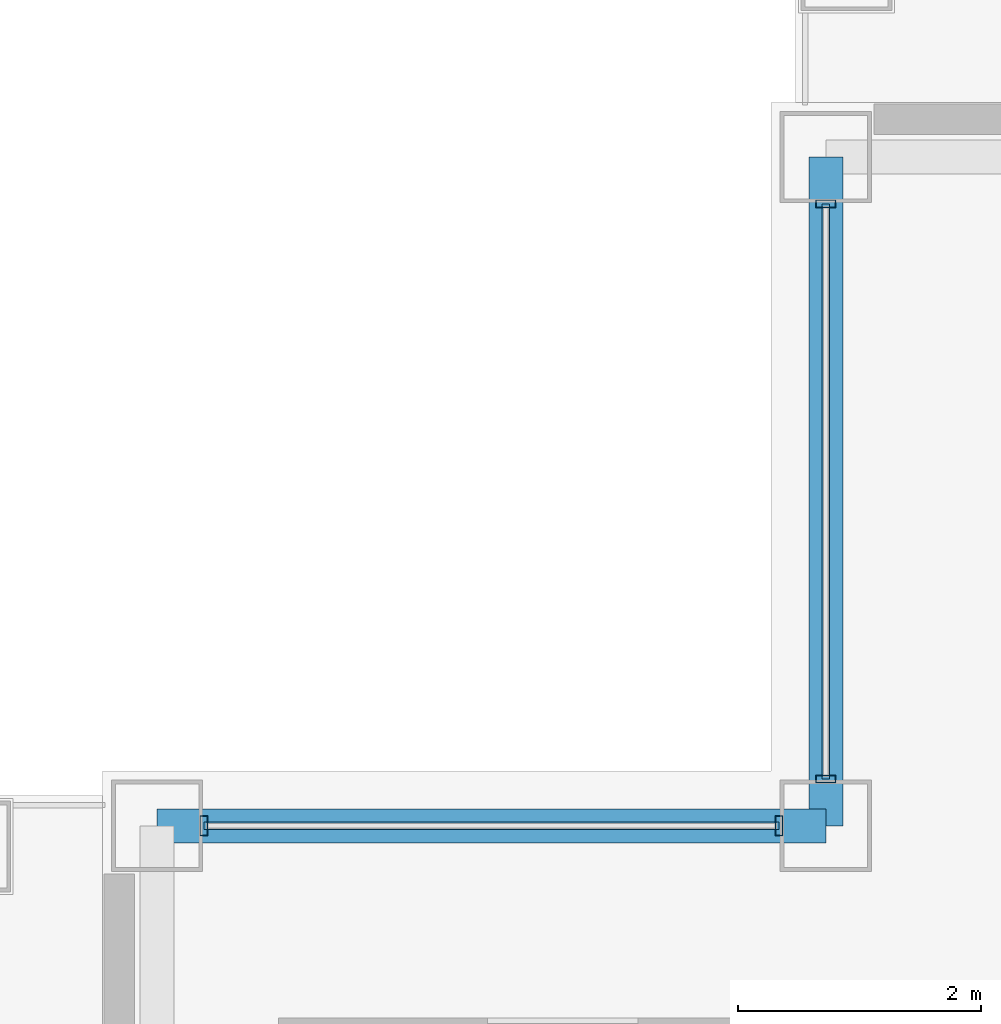
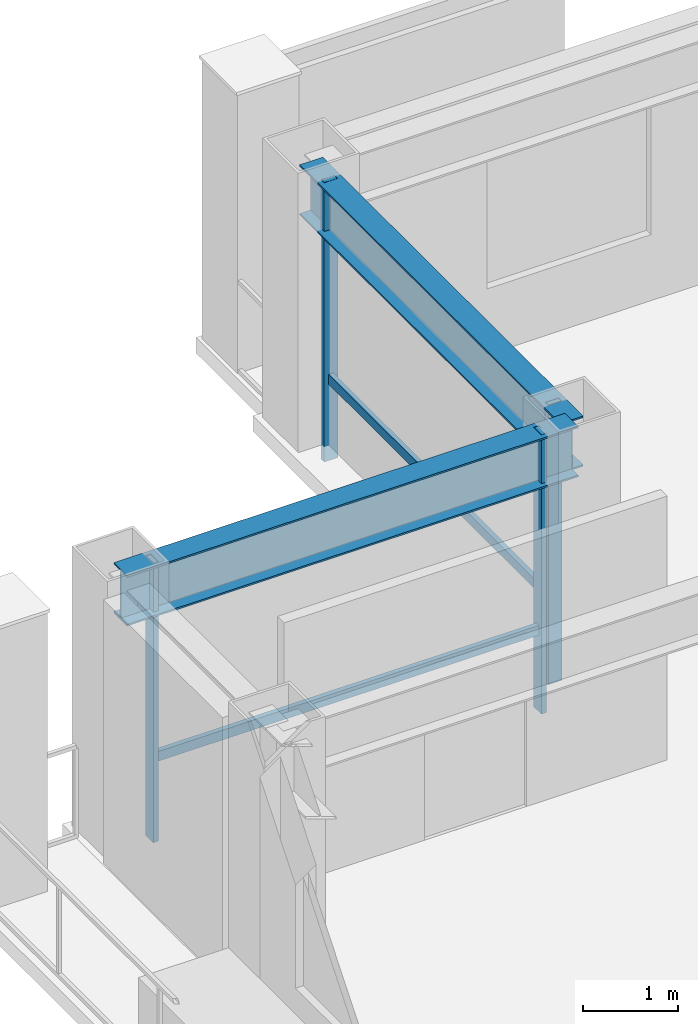
# One storey, part 19 of 30: 6 members, 2 beams, 2 elements without a shape of their own.
"""IFC4 building model written with IfcOpenShell, lengths in metres."""

import ifcopenshell
import ifcopenshell.guid

model = None  # the IFC model being written
_history = None  # IfcOwnerHistory: only IFC2X3 demands one
_inside = {}  # id of a spatial element -> (the spatial element, [elements in it])
_under = {}  # id of a project, library or spatial element -> (it, [spatial elements below it])
_declared = {}  # id of a project -> (the project, [libraries it declares])
_typed = {}  # id of a type object -> (the type object, [elements of that type])
_made_of = {}  # id of a material, layer set ... -> (it, [elements and type objects made of it])


def new_model(schema):
    """Start an empty IFC model of exactly this schema.

    Asked for "IFC4X3", IfcOpenShell would pick the latest addendum, in which some entities
    have other attributes; the version numbers below select the first issue.
    IFC2X3 requires an IfcOwnerHistory on every rooted entity: one is made here for all.
    """
    global model, _history
    if schema == "IFC4X3":
        model = ifcopenshell.file(schema_version=(4, 3, 0, 0))
    else:
        model = ifcopenshell.file(schema=schema)
    _inside.clear()
    _under.clear()
    _declared.clear()
    _typed.clear()
    _made_of.clear()
    _history = None
    if model.schema == "IFC2X3":
        org = make("IfcOrganization", Name="unknown")
        user = make(
            "IfcPersonAndOrganization",
            ThePerson=make("IfcPerson", FamilyName="unknown"),
            TheOrganization=org,
        )
        app = make(
            "IfcApplication",
            ApplicationDeveloper=org,
            Version="unknown",
            ApplicationFullName="unknown",
            ApplicationIdentifier="unknown",
        )
        _history = make(
            "IfcOwnerHistory",
            OwningUser=user,
            OwningApplication=app,
            ChangeAction="ADDED",
            CreationDate=0,
        )
    return model


def make(cls, **values):
    """One entity of the class cls with the attributes given. An attribute that is None is left unset."""
    return model.create_entity(
        cls, **{name: value for name, value in values.items() if value is not None}
    )


def rooted(cls, **values):
    """An entity with a GlobalId (a new one), such as an element, a storey or a relation."""
    return make(cls, GlobalId=ifcopenshell.guid.new(), OwnerHistory=_history, **values)


def si_unit(unit_type, name, prefix=None):
    """IfcSIUnit, for example si_unit("LENGTHUNIT", "METRE", prefix="MILLI")."""
    return make("IfcSIUnit", UnitType=unit_type, Prefix=prefix, Name=name)


def assignment(units):
    """IfcUnitAssignment: the units of a project."""
    return None if units is None else make("IfcUnitAssignment", Units=units)


def point(xyz):
    """IfcCartesianPoint."""
    return None if xyz is None else make("IfcCartesianPoint", Coordinates=xyz)


def direction(xyz):
    """IfcDirection."""
    return None if xyz is None else make("IfcDirection", DirectionRatios=xyz)


def frame(location, z_axis=None, x_axis=None):
    """IfcAxis2Placement3D, a coordinate frame: its origin and axes. An axis left out is left unset."""
    return make(
        "IfcAxis2Placement3D",
        Location=point(location),
        Axis=direction(z_axis),
        RefDirection=direction(x_axis),
    )


def frame_2d(location, x_axis=None):
    """IfcAxis2Placement2D, a coordinate frame in the plane: its origin and x axis."""
    return make(
        "IfcAxis2Placement2D", Location=point(location), RefDirection=direction(x_axis)
    )


def origin():
    """The frame at (0, 0, 0) with its axes left unset."""
    return frame((0.0, 0.0, 0.0))


def origin_2d():
    """The frame at (0, 0) in the plane with its x axis left unset."""
    return frame_2d((0.0, 0.0))


def place(relative_to, where):
    """IfcLocalPlacement: puts the frame where relative to a parent placement (None: the world)."""
    return make(
        "IfcLocalPlacement", PlacementRelTo=relative_to, RelativePlacement=where
    )


def context(
    kind, dimensions, precision=None, world=None, true_north=None, identifier=None
):
    """IfcGeometricRepresentationContext, for example the 3D "Model" context."""
    return make(
        "IfcGeometricRepresentationContext",
        ContextIdentifier=identifier,
        ContextType=kind,
        CoordinateSpaceDimension=dimensions,
        Precision=precision,
        WorldCoordinateSystem=world,
        TrueNorth=true_north,
    )


def subcontext(parent, identifier, kind, view, scale=None):
    """IfcGeometricRepresentationSubContext, for example "Body" below "Model"."""
    return make(
        "IfcGeometricRepresentationSubContext",
        ContextIdentifier=identifier,
        ContextType=kind,
        ParentContext=parent,
        TargetScale=scale,
        TargetView=view,
    )


def project(units=None, contexts=None):
    """IfcProject with its units and contexts."""
    return rooted(
        "IfcProject",
        Name="project",
        RepresentationContexts=contexts,
        UnitsInContext=assignment(units),
    )


def spatial(cls, under=None, at=None, **own):
    """A site, building, storey or space (cls), placed at a placement, below another one or the project."""
    s = rooted(cls, ObjectPlacement=at, **own)
    if under is not None:
        _under.setdefault(under.id(), (under, []))[1].append(s)
    return s


def profile(cls, at=None, kind="AREA", **sizes):
    """A parametric profile (cls). Its sizes go by their IFC names, for example OverallWidth=200.0."""
    return make(cls, ProfileType=kind, Position=at, **sizes)


def hollow_rectangle(**sizes):
    """IfcRectangleHollowProfileDef."""
    return profile("IfcRectangleHollowProfileDef", **sizes)


def i_section(**sizes):
    """IfcIShapeProfileDef."""
    return profile("IfcIShapeProfileDef", **sizes)


def extrude(swept, where, along, depth):
    """IfcExtrudedAreaSolid: the profile swept, set in the frame where, extruded along a direction by depth."""
    return make(
        "IfcExtrudedAreaSolid",
        SweptArea=swept,
        Position=where,
        ExtrudedDirection=direction(along),
        Depth=depth,
    )


def shape(context_of_items, identifier, shape_type, items):
    """IfcShapeRepresentation: the items that make up one representation, for example the "Body"."""
    return make(
        "IfcShapeRepresentation",
        ContextOfItems=context_of_items,
        RepresentationIdentifier=identifier,
        RepresentationType=shape_type,
        Items=items,
    )


def material(Name=None, Category=None):
    """IfcMaterial."""
    return make("IfcMaterial", Name=Name, Category=Category)


def layer(
    of_material, thickness, ventilated=None, Name=None, Category=None, Priority=None
):
    """IfcMaterialLayer: one layer of a wall or slab, of a material (None: an air gap)."""
    return make(
        "IfcMaterialLayer",
        Material=of_material,
        LayerThickness=thickness,
        IsVentilated=ventilated,
        Name=Name,
        Category=Category,
        Priority=Priority,
    )


def layer_set(layers, Name=None):
    """IfcMaterialLayerSet."""
    return make("IfcMaterialLayerSet", MaterialLayers=layers, LayerSetName=Name)


def material_profile(
    of_material, cross_section, Name=None, Category=None, Priority=None
):
    """IfcMaterialProfile: a cross section and its material."""
    return make(
        "IfcMaterialProfile",
        Name=Name,
        Material=of_material,
        Profile=cross_section,
        Priority=Priority,
        Category=Category,
    )


def profile_set(profiles, Name=None, composite=None):
    """IfcMaterialProfileSet."""
    return make(
        "IfcMaterialProfileSet",
        Name=Name,
        MaterialProfiles=profiles,
        CompositeProfile=composite,
    )


def made_of(thing, what):
    """Note that an element or type object is made of a material, layer set ...; save() writes the relation."""
    if what is not None:
        _made_of.setdefault(what.id(), (what, []))[1].append(thing)
    return thing


def type_object(cls, material=None, **own):
    """A type object (cls), such as IfcWallType, which elements share."""
    return made_of(rooted(cls, **own), material)


def element(
    cls,
    number,
    at=None,
    inside=None,
    cuts=None,
    type_object=None,
    material=None,
    context=None,
    identifier="Body",
    shape_type=None,
    held_by="IfcProductDefinitionShape",
    body=None,
    shapes=None,
    **own,
):
    """One element of the class cls, such as IfcWall. Its Tag is "e" and its number.

    at: its placement. inside: the storey or other place that contains it. cuts: it is an
    opening in that element (IfcRelVoidsElement). A single representation is given by context,
    identifier, shape_type and body (its items); several are given by shapes. held_by: the class
    of the entity that holds the representations. save() writes the other relations.
    """
    e = rooted(cls, Tag="e%d" % number, ObjectPlacement=at, **own)
    if body is not None:
        shapes = [shape(context, identifier, shape_type, body)]
    if shapes is not None:
        e.Representation = make(held_by, Representations=shapes)
    if inside is not None:
        _inside.setdefault(inside.id(), (inside, []))[1].append(e)
    if cuts is not None:
        rooted(
            "IfcRelVoidsElement", RelatingBuildingElement=cuts, RelatedOpeningElement=e
        )
    if type_object is not None:
        _typed.setdefault(type_object.id(), (type_object, []))[1].append(e)
    return made_of(e, material)


def aggregate(whole, parts):
    """IfcRelAggregates: a whole, such as a stair, and the parts it consists of."""
    return rooted("IfcRelAggregates", RelatingObject=whole, RelatedObjects=parts)


def save(model, path):
    """Write the relations noted so far, then the file.

    IfcRelAggregates (storeys below a building ...), IfcRelContainedInSpatialStructure (elements
    in a storey), IfcRelDefinesByType, IfcRelAssociatesMaterial and IfcRelDeclares: one each for
    every whole, place, type object, material and project.
    """
    for whole, parts in _under.values():
        aggregate(whole, parts)
    for where, things in _inside.values():
        rooted(
            "IfcRelContainedInSpatialStructure",
            RelatedElements=things,
            RelatingStructure=where,
        )
    for kind, things in _typed.values():
        rooted("IfcRelDefinesByType", RelatedObjects=things, RelatingType=kind)
    for what, things in _made_of.values():
        rooted("IfcRelAssociatesMaterial", RelatedObjects=things, RelatingMaterial=what)
    for by, libraries in _declared.values():
        rooted("IfcRelDeclares", RelatingContext=by, RelatedDefinitions=libraries)
    model.write(path)


model = new_model("IFC4")

# Units and contexts
model_context = context("Model", 3, precision=1e-05, world=origin(), true_north=direction((0.0, 1.0)))
body_context = subcontext(model_context, "Body", "Model", "MODEL_VIEW")
ifc_project = project(units=[si_unit("LENGTHUNIT", "METRE"), si_unit("AREAUNIT", "SQUARE_METRE"), si_unit("VOLUMEUNIT", "CUBIC_METRE"), si_unit("PLANEANGLEUNIT", "RADIAN"), si_unit("MASSUNIT", "GRAM", prefix="KILO")], contexts=[model_context])

# Site, building, storey
site_placement = place(None, origin())
site = spatial("IfcSite", under=ifc_project, at=site_placement, CompositionType="ELEMENT")
building_placement = place(site_placement, origin())
building = spatial("IfcBuilding", under=site, at=building_placement, Name="Brelmoor Portico Tower", CompositionType="ELEMENT")
storey_placement = place(building_placement, frame((0.0, 0.0, 173.10009765625)))
storey = spatial("IfcBuildingStorey", under=building, at=storey_placement, Name="L45", CompositionType="ELEMENT", Elevation=173.10009765625)

# Beams
ifc_material_1 = material(Name="Steel Q355B", Category="steel")
ifc_material_profile_1 = material_profile(ifc_material_1, i_section(OverallWidth=0.280029296875, OverallDepth=0.64990234375, WebThickness=0.012939453125, FlangeThickness=0.02197265625, at=origin_2d()), Name="HN 650x280x13x22")
ifc_profile_set_1 = profile_set([ifc_material_profile_1], Name="Steel Q355B")
beam_type = type_object("IfcBeamType", Name="BM-SP-650", PredefinedType="SPANDREL", material=ifc_profile_set_1)
for number, where, z_axis, x_axis, name in (
    (1, (-20.550048828125, 13.050048828125, 3.074951171875), (1.0, 0.0, 0.0), (0.0, 1.0, 0.0), "L45 Perimeter Spandrel Beam SP-06"),
    (2, (-15.050048828125, 13.050048828125, 3.074951171875), (0.0, 1.0, 0.0), (-1.0, 0.0, 0.0), "L45 Perimeter Spandrel Beam SP-15"),
):
    element("IfcBeam", number, at=place(storey_placement, frame(where, z_axis=z_axis, x_axis=x_axis)), inside=storey, type_object=beam_type, Name=name, PredefinedType="SPANDREL", context=body_context, shape_type="SweptSolid", body=[
        extrude(i_section(OverallWidth=0.280029296875, OverallDepth=0.64990234375, WebThickness=0.012939453125, FlangeThickness=0.02197265625, at=origin_2d()), origin(), (0.0, 0.0, 1.0), 5.5),
    ])

# Curtain wall, members
ifc_material_2 = material(Name="Anodised Aluminium Alloy 6063-T6", Category="aluminium")
ifc_layer = layer(ifc_material_2, 0.179931640625)
ifc_layer_set = layer_set([ifc_layer], Name="Anodised Aluminium Alloy 6063-T6")
curtain_wall_type = type_object("IfcCurtainWallType", Name="CW-NOTCH-CHAMFER", PredefinedType="NOTDEFINED", material=ifc_layer_set)
curtain_wall_1_placement = place(storey_placement, origin())
curtain_wall_1 = element("IfcCurtainWall", 3, at=curtain_wall_1_placement, inside=storey, type_object=curtain_wall_type, Name="L45 Curtain Wall CWN-L45-NWH", PredefinedType="NOTDEFINED")
ifc_material_profile_2 = material_profile(ifc_material_2, hollow_rectangle(XDim=0.06494140625, YDim=0.1650390625, WallThickness=0.00390625, at=origin_2d()), Name="ALU MULLION 65x165")
ifc_profile_set_2 = profile_set([ifc_material_profile_2], Name="Anodised Aluminium Alloy 6063-T6")
member_type_1 = type_object("IfcMemberType", Name="MB-CW-MULL-165", PredefinedType="MULLION", material=ifc_profile_set_2)
member_1_placement = place(storey_placement, frame((-20.1650390625, 13.050048828125, -0.2001953125), z_axis=(0.0, 0.0, 1.0), x_axis=(1.0, 0.0, 0.0)))
member_1 = element("IfcMember", 4, at=member_1_placement, type_object=member_type_1, Name="CWN-L45-NWH Mullion 00", PredefinedType="MULLION", context=body_context, shape_type="SweptSolid", body=[
    extrude(hollow_rectangle(XDim=0.06494140625, YDim=0.1650390625, WallThickness=0.00390625, at=origin_2d()), origin(), (0.0, 0.0, 1.0), 3.60009765625),
])
member_2_placement = place(storey_placement, frame((-15.43505859375, 13.050048828125, -0.2001953125), z_axis=(0.0, 0.0, 1.0), x_axis=(1.0, 0.0, 0.0)))
member_2 = element("IfcMember", 5, at=member_2_placement, type_object=member_type_1, Name="CWN-L45-NWH Mullion 01", PredefinedType="MULLION", context=body_context, shape_type="SweptSolid", body=[
    extrude(hollow_rectangle(XDim=0.06494140625, YDim=0.1650390625, WallThickness=0.00390625, at=origin_2d()), origin(), (0.0, 0.0, 1.0), 3.60009765625),
])

curtain_wall_2_placement = place(storey_placement, origin())
curtain_wall_2 = element("IfcCurtainWall", 6, at=curtain_wall_2_placement, inside=storey, type_object=curtain_wall_type, Name="L45 Curtain Wall CWN-L45-NWV", PredefinedType="NOTDEFINED")
member_3_placement = place(storey_placement, frame((-15.050048828125, 13.43505859375, -0.2001953125), z_axis=(0.0, 0.0, 1.0), x_axis=(0.0, 1.0, 0.0)))
member_3 = element("IfcMember", 7, at=member_3_placement, type_object=member_type_1, Name="CWN-L45-NWV Mullion 00", PredefinedType="MULLION", context=body_context, shape_type="SweptSolid", body=[
    extrude(hollow_rectangle(XDim=0.06494140625, YDim=0.1650390625, WallThickness=0.00390625, at=origin_2d()), origin(), (0.0, 0.0, 1.0), 3.60009765625),
])
member_4_placement = place(storey_placement, frame((-15.050048828125, 18.1650390625, -0.2001953125), z_axis=(0.0, 0.0, 1.0), x_axis=(0.0, 1.0, 0.0)))
member_4 = element("IfcMember", 8, at=member_4_placement, type_object=member_type_1, Name="CWN-L45-NWV Mullion 01", PredefinedType="MULLION", context=body_context, shape_type="SweptSolid", body=[
    extrude(hollow_rectangle(XDim=0.06494140625, YDim=0.1650390625, WallThickness=0.00390625, at=origin_2d()), origin(), (0.0, 0.0, 1.0), 3.60009765625),
])

# Member
ifc_material_profile_3 = material_profile(ifc_material_2, hollow_rectangle(XDim=0.06005859375, YDim=0.125, WallThickness=0.00341796875, at=origin_2d()), Name="ALU TRANSOM 60x125")
ifc_profile_set_3 = profile_set([ifc_material_profile_3], Name="Anodised Aluminium Alloy 6063-T6")
member_type_2 = type_object("IfcMemberType", Name="MB-CW-TRAN-125", PredefinedType="USERDEFINED", material=ifc_profile_set_3)
member_5_placement = place(storey_placement, frame((-20.1650390625, 13.050048828125, 0.849853515625), z_axis=(1.0, 0.0, 0.0), x_axis=(0.0, 1.0, 0.0)))
member_5 = element("IfcMember", 9, at=member_5_placement, type_object=member_type_2, Name="CWN-L45-NWH Transom 1-00", ObjectType="TRANSOM", PredefinedType="USERDEFINED", context=body_context, shape_type="SweptSolid", body=[
    extrude(hollow_rectangle(XDim=0.06005859375, YDim=0.125, WallThickness=0.00341796875, at=origin_2d()), origin(), (0.0, 0.0, 1.0), 4.72998046875),
])

aggregate(curtain_wall_1, [member_1, member_2, member_5])

member_6_placement = place(storey_placement, frame((-15.050048828125, 13.43505859375, 0.849853515625), z_axis=(0.0, 1.0, 0.0), x_axis=(-1.0, 0.0, 0.0)))
member_6 = element("IfcMember", 10, at=member_6_placement, type_object=member_type_2, Name="CWN-L45-NWV Transom 1-00", ObjectType="TRANSOM", PredefinedType="USERDEFINED", context=body_context, shape_type="SweptSolid", body=[
    extrude(hollow_rectangle(XDim=0.06005859375, YDim=0.125, WallThickness=0.00341796875, at=origin_2d()), origin(), (0.0, 0.0, 1.0), 4.72998046875),
])

aggregate(curtain_wall_2, [member_3, member_4, member_6])

save(model, "model.ifc")
